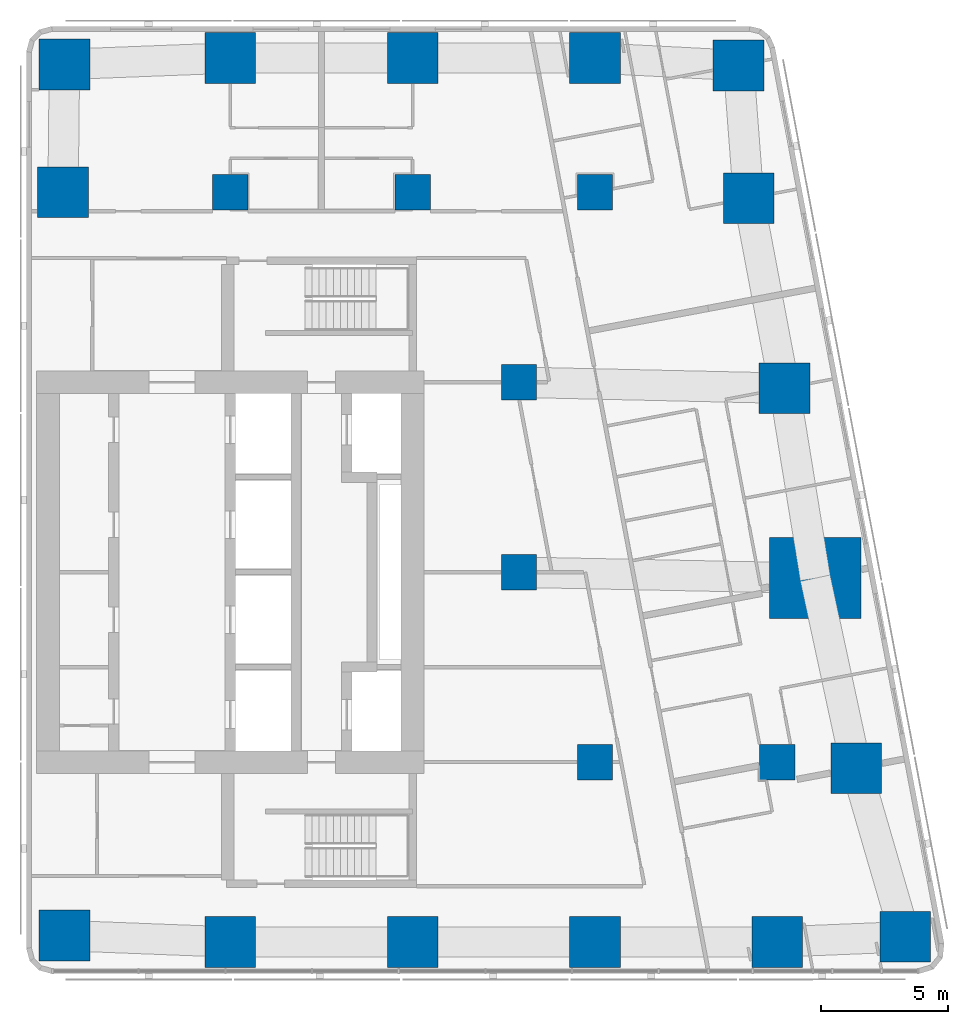
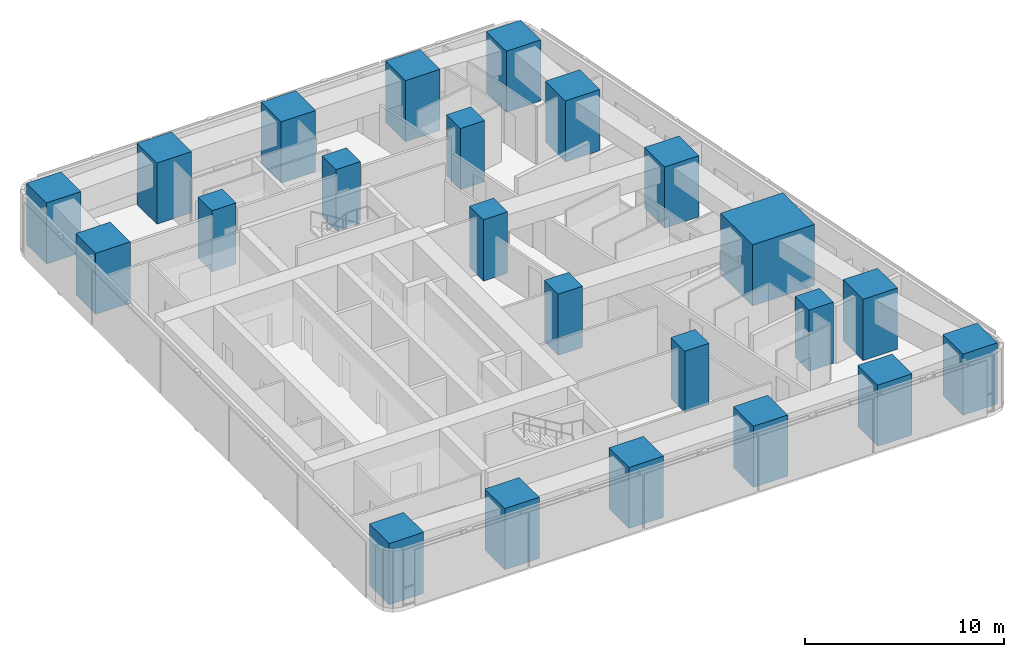
# One storey, part 1 of 11: 23 columns.
"""IFC4 building model written with IfcOpenShell, lengths in metres."""

from ifc_helpers import new_model, si_unit, direction, frame, origin, origin_2d, place, context, subcontext, project, spatial, rectangle, extrude, material, material_profile, profile_set, type_object, element, save


model = new_model("IFC4")

# Units and contexts
model_context = context("Model", 3, precision=1e-05, world=origin(), true_north=direction((0.0, 1.0)))
body_context = subcontext(model_context, "Body", "Model", "MODEL_VIEW")
ifc_project = project(units=[si_unit("LENGTHUNIT", "METRE"), si_unit("AREAUNIT", "SQUARE_METRE"), si_unit("VOLUMEUNIT", "CUBIC_METRE"), si_unit("PLANEANGLEUNIT", "RADIAN"), si_unit("MASSUNIT", "GRAM", prefix="KILO")], contexts=[model_context])

# Site, building, storey
site_placement = place(None, origin())
site = spatial("IfcSite", under=ifc_project, at=site_placement, CompositionType="ELEMENT")
building_placement = place(site_placement, origin())
building = spatial("IfcBuilding", under=site, at=building_placement, Name="Sheger Commons Tower", CompositionType="ELEMENT")
storey_placement = place(building_placement, frame((0.0, 0.0, 259.10009765625)))
storey = spatial("IfcBuildingStorey", under=building, at=storey_placement, Name="L66", CompositionType="ELEMENT", Elevation=259.10009765625)

# Columns
ifc_material_1 = material(Name="Concrete C50/60", Category="concrete")
ifc_material_profile_1 = material_profile(ifc_material_1, rectangle(XDim=3.60009765625, YDim=3.199951171875, at=origin_2d()), Name="RC 3600x3200")
ifc_profile_set_1 = profile_set([ifc_material_profile_1], Name="Concrete C50/60")
column_type_1 = type_object("IfcColumnType", Name="COLUMN PIER RC 3600x3200", PredefinedType="COLUMN", material=ifc_profile_set_1)
column_placement = place(storey_placement, frame((44.697021484375, 22.262939453125, 0.0), z_axis=(0.0, 0.0, 1.0), x_axis=(1.0, 0.0, 0.0)))
element("IfcColumn", 1, at=column_placement, inside=storey, type_object=column_type_1, Name="Pier 7/D+E/D L66", PredefinedType="COLUMN", context=body_context, shape_type="SweptSolid", body=[
    extrude(rectangle(XDim=3.60009765625, YDim=3.199951171875, at=origin_2d()), origin(), (0.0, 0.0, 1.0), 3.75),
])
ifc_material_2 = material(Name="Concrete C50/60", Category="concrete")
ifc_material_profile_2 = material_profile(ifc_material_2, rectangle(XDim=1.39990234375, YDim=1.39990234375, at=origin_2d()), Name="RC 1400x1400")
ifc_profile_set_2 = profile_set([ifc_material_profile_2], Name="Concrete C50/60")
column_type_2 = type_object("IfcColumnType", Name="COLUMN RC 1400x1400", PredefinedType="COLUMN", material=ifc_profile_set_2)
for number, where, z_axis, x_axis, name in (
    (2, (36.0, 15.0, 0.0), (0.0, 0.0, 1.0), (1.0, 0.0, 0.0), "Column 6/C L66"),
    (3, (43.199951171875, 15.0, 0.0), (0.0, 0.0, 1.0), (1.0, 0.0, 0.0), "Column 7/C L66"),
    (4, (33.0, 22.5, 0.0), (0.0, 0.0, 1.0), (1.0, 0.0, 0.0), "Column 6-3000/D L66"),
    (5, (33.0, 30.0, 0.0), (0.0, 0.0, 1.0), (1.0, 0.0, 0.0), "Column 6-3000/E L66"),
    (6, (21.60009765625, 37.5, 0.0), (0.0, 0.0, 1.0), (1.0, 0.0, 0.0), "Column 4/F L66"),
    (7, (28.800048828125, 37.5, 0.0), (0.0, 0.0, 1.0), (1.0, 0.0, 0.0), "Column 5/F L66"),
    (8, (36.0, 37.5, 0.0), (0.0, 0.0, 1.0), (1.0, 0.0, 0.0), "Column 6/F L66"),
):
    element("IfcColumn", number, at=place(storey_placement, frame(where, z_axis=z_axis, x_axis=x_axis)), inside=storey, type_object=column_type_2, Name=name, PredefinedType="COLUMN", context=body_context, shape_type="SweptSolid", body=[
        extrude(rectangle(XDim=1.39990234375, YDim=1.39990234375, at=origin_2d()), origin(), (0.0, 0.0, 1.0), 3.75),
    ])
ifc_material_3 = material(Name="Concrete C50/60", Category="concrete")
ifc_material_profile_3 = material_profile(ifc_material_3, rectangle(XDim=2.0, YDim=2.0, at=origin_2d()), Name="RC 2000x2000")
ifc_profile_set_3 = profile_set([ifc_material_profile_3], Name="Concrete C50/60")
column_type_3 = type_object("IfcColumnType", Name="COLUMN RC 2000x2000", PredefinedType="COLUMN", material=ifc_profile_set_3)
for number, where, z_axis, x_axis, name in (
    (9, (15.053955078125, 8.154052734375, 0.0), (0.0, 0.0, 1.0), (1.0, 0.0, 0.0), "Column 3/B L66"),
    (10, (21.60009765625, 7.89990234375, 0.0), (0.0, 0.0, 1.0), (1.0, 0.0, 0.0), "Column 4/B L66"),
    (11, (28.800048828125, 7.89990234375, 0.0), (0.0, 0.0, 1.0), (1.0, 0.0, 0.0), "Column 5/B L66"),
    (12, (36.0, 7.89990234375, 0.0), (0.0, 0.0, 1.0), (1.0, 0.0, 0.0), "Column 6/B L66"),
    (13, (43.199951171875, 7.89990234375, 0.0), (0.0, 0.0, 1.0), (1.0, 0.0, 0.0), "Column 7/B L66"),
    (14, (48.251953125, 8.10693359375, 0.0), (0.0, 0.0, 1.0), (1.0, 0.0, 0.0), "Column E/B L66"),
    (15, (46.31396484375, 14.762939453125, 0.0), (0.0, 0.0, 1.0), (1.0, 0.0, 0.0), "Column E/C L66"),
    (16, (43.47998046875, 29.762939453125, 0.0), (0.0, 0.0, 1.0), (1.0, 0.0, 0.0), "Column E/E L66"),
    (17, (15.0, 37.5, 0.0), (0.0, 0.0, 1.0), (1.0, 0.0, 0.0), "Column 3/F L66"),
    (18, (42.06396484375, 37.262939453125, 0.0), (0.0, 0.0, 1.0), (1.0, 0.0, 0.0), "Column E/F L66"),
    (19, (15.053955078125, 42.5458984375, 0.0), (0.0, 0.0, 1.0), (1.0, 0.0, 0.0), "Column 3/G-1.8 L66"),
    (20, (21.60009765625, 42.800048828125, 0.0), (0.0, 0.0, 1.0), (1.0, 0.0, 0.0), "Column 4/G-1.8 L66"),
    (21, (28.800048828125, 42.800048828125, 0.0), (0.0, 0.0, 1.0), (1.0, 0.0, 0.0), "Column 5/G-1.8 L66"),
    (22, (36.0, 42.800048828125, 0.0), (0.0, 0.0, 1.0), (1.0, 0.0, 0.0), "Column 6/G-1.8 L66"),
    (23, (41.6669921875, 42.506103515625, 0.0), (0.0, 0.0, 1.0), (1.0, 0.0, 0.0), "Column E/G-1.8 L66"),
):
    element("IfcColumn", number, at=place(storey_placement, frame(where, z_axis=z_axis, x_axis=x_axis)), inside=storey, type_object=column_type_3, Name=name, PredefinedType="COLUMN", context=body_context, shape_type="SweptSolid", body=[
        extrude(rectangle(XDim=2.0, YDim=2.0, at=origin_2d()), origin(), (0.0, 0.0, 1.0), 3.75),
    ])

save(model, "model.ifc")
